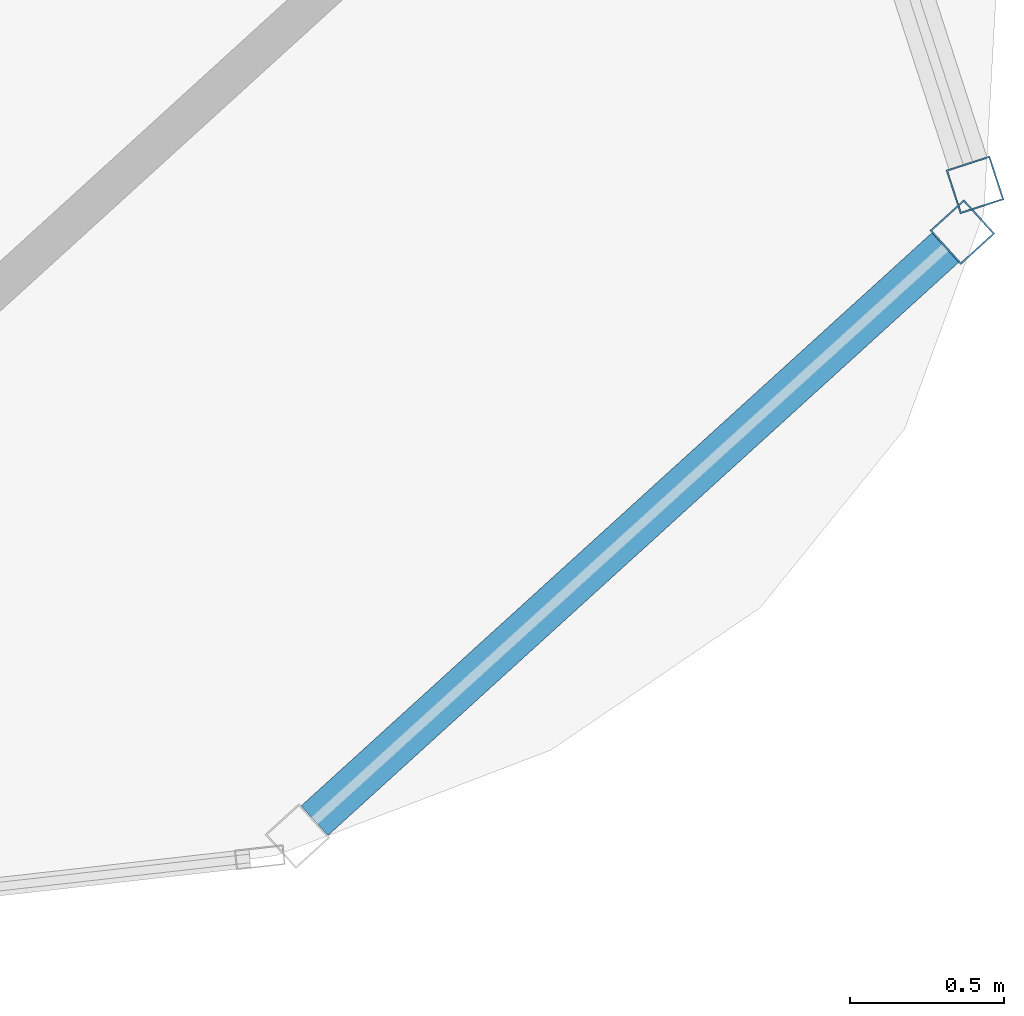
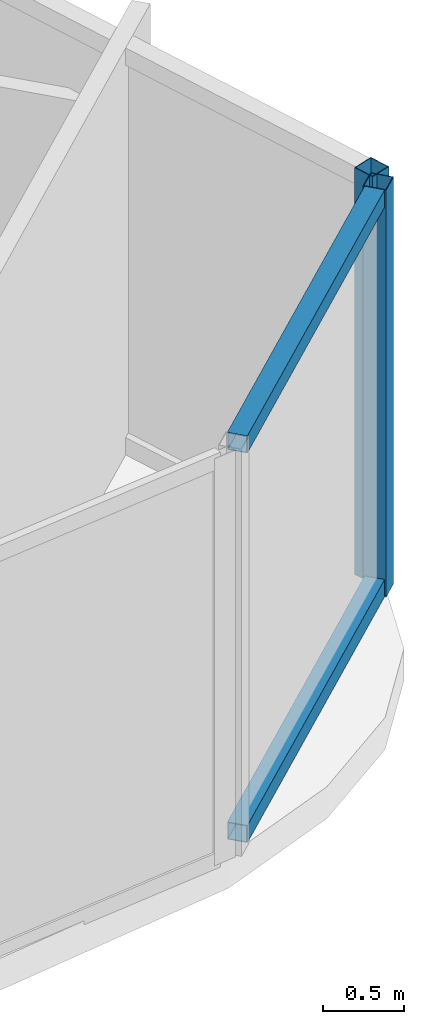
# One storey, part 16 of 34: 4 members, 2 elements without a shape of their own.
"""IFC4 building model written with IfcOpenShell, lengths in metres."""

from ifc_helpers import new_model, si_unit, direction, frame, origin, origin_2d, place, context, subcontext, project, spatial, hollow_rectangle, extrude, material, layer, layer_set, material_profile, profile_set, type_object, element, aggregate, save


model = new_model("IFC4")

# Units and contexts
model_context = context("Model", 3, precision=1e-05, world=origin(), true_north=direction((0.0, 1.0)))
body_context = subcontext(model_context, "Body", "Model", "MODEL_VIEW")
ifc_project = project(units=[si_unit("LENGTHUNIT", "METRE"), si_unit("AREAUNIT", "SQUARE_METRE"), si_unit("VOLUMEUNIT", "CUBIC_METRE"), si_unit("PLANEANGLEUNIT", "RADIAN"), si_unit("MASSUNIT", "GRAM", prefix="KILO")], contexts=[model_context])

# Site, building, storey
site_placement = place(None, origin())
site = spatial("IfcSite", under=ifc_project, at=site_placement, CompositionType="ELEMENT")
building_placement = place(site_placement, origin())
building = spatial("IfcBuilding", under=site, at=building_placement, Name="Orvanel Arch Residences", CompositionType="ELEMENT")
storey_placement = place(building_placement, frame((0.0, 0.0, 203.0)))
storey = spatial("IfcBuildingStorey", under=building, at=storey_placement, Name="L57", CompositionType="ELEMENT", Elevation=203.0)

# Curtain wall, member
ifc_material = material(Name="Bronze-anodised aluminium AA6063-T6", Category="aluminium")
ifc_layer = layer(ifc_material, 0.18994140625)
ifc_layer_set = layer_set([ifc_layer], Name="Bronze-anodised aluminium AA6063-T6")
curtain_wall_type = type_object("IfcCurtainWallType", Name="CW5-CRN-SYS", PredefinedType="NOTDEFINED", material=ifc_layer_set)
curtain_wall_1_placement = place(storey_placement, origin())
curtain_wall_1 = element("IfcCurtainWall", 1, at=curtain_wall_1_placement, inside=storey, type_object=curtain_wall_type, Name="L57 CW5-CRN-SYS Unitised Curtain Wall", PredefinedType="NOTDEFINED")
ifc_material_profile_1 = material_profile(ifc_material, hollow_rectangle(XDim=0.14990234375, YDim=0.14990234375, WallThickness=0.0048828125, at=origin_2d()), Name="ALU150x150x5")
ifc_profile_set_1 = profile_set([ifc_material_profile_1], Name="Bronze-anodised aluminium AA6063-T6")
member_type_1 = type_object("IfcMemberType", Name="MUL-150x150", PredefinedType="MULLION", material=ifc_profile_set_1)
member_1_placement = place(storey_placement, frame((56.550537109375, 8.383544921875, 0.0), z_axis=(0.0, 0.0, 1.0), x_axis=(-0.672478543839, 0.740116617889, 0.0)))
member_1 = element("IfcMember", 2, at=member_1_placement, type_object=member_type_1, Name="CW-S5 mullion 2", PredefinedType="MULLION", context=body_context, shape_type="SweptSolid", body=[
    extrude(hollow_rectangle(XDim=0.14990234375, YDim=0.14990234375, WallThickness=0.0048828125, at=origin_2d()), origin(), (0.0, 0.0, 1.0), 3.06005859375),
])

curtain_wall_2_placement = place(storey_placement, origin())
curtain_wall_2 = element("IfcCurtainWall", 3, at=curtain_wall_2_placement, inside=storey, type_object=curtain_wall_type, Name="L57 CW5-CRN-SYS Unitised Curtain Wall", PredefinedType="NOTDEFINED")
member_2_placement = place(storey_placement, frame((56.591796875, 8.537353515625, 0.0), z_axis=(0.0, 0.0, 1.0), x_axis=(-0.951217039439, -0.308522517622, 0.0)))
member_2 = element("IfcMember", 4, at=member_2_placement, type_object=member_type_1, Name="CW-S5 mullion 1", PredefinedType="MULLION", context=body_context, shape_type="SweptSolid", body=[
    extrude(hollow_rectangle(XDim=0.14990234375, YDim=0.14990234375, WallThickness=0.0048828125, at=origin_2d()), origin(), (0.0, 0.0, 1.0), 3.06005859375),
])
aggregate(curtain_wall_2, [member_2])

# Member
ifc_material_profile_2 = material_profile(ifc_material, hollow_rectangle(XDim=0.1298828125, YDim=0.1298828125, WallThickness=0.00439453125, at=origin_2d()), Name="ALU130x130x4.5")
ifc_profile_set_2 = profile_set([ifc_material_profile_2], Name="Bronze-anodised aluminium AA6063-T6")
member_type_2 = type_object("IfcMemberType", Name="TRN-130x130", PredefinedType="USERDEFINED", material=ifc_profile_set_2)
member_3_placement = place(storey_placement, frame((54.44091796875, 6.466796875, 0.06494140625), z_axis=(0.740123158763, 0.672471345012, 0.0), x_axis=(-0.672471345012, 0.740123158763, 0.0)))
member_3 = element("IfcMember", 5, at=member_3_placement, type_object=member_type_2, Name="CW-S5 transom 1.1", ObjectType="TRANSOM", PredefinedType="USERDEFINED", context=body_context, shape_type="SweptSolid", body=[
    extrude(hollow_rectangle(XDim=0.1298828125, YDim=0.1298828125, WallThickness=0.00439453125, at=origin_2d()), origin(), (0.0, 0.0, 1.0), 2.775146484375),
])

member_4_placement = place(storey_placement, frame((54.44091796875, 6.466796875, 2.9951171875), z_axis=(0.740123158763, 0.672471345012, 0.0), x_axis=(-0.672471345012, 0.740123158763, 0.0)))
member_4 = element("IfcMember", 6, at=member_4_placement, type_object=member_type_2, Name="CW-S5 transom 1.2", ObjectType="TRANSOM", PredefinedType="USERDEFINED", context=body_context, shape_type="SweptSolid", body=[
    extrude(hollow_rectangle(XDim=0.1298828125, YDim=0.1298828125, WallThickness=0.00439453125, at=origin_2d()), origin(), (0.0, 0.0, 1.0), 2.775146484375),
])

aggregate(curtain_wall_1, [member_1, member_3, member_4])

save(model, "model.ifc")
